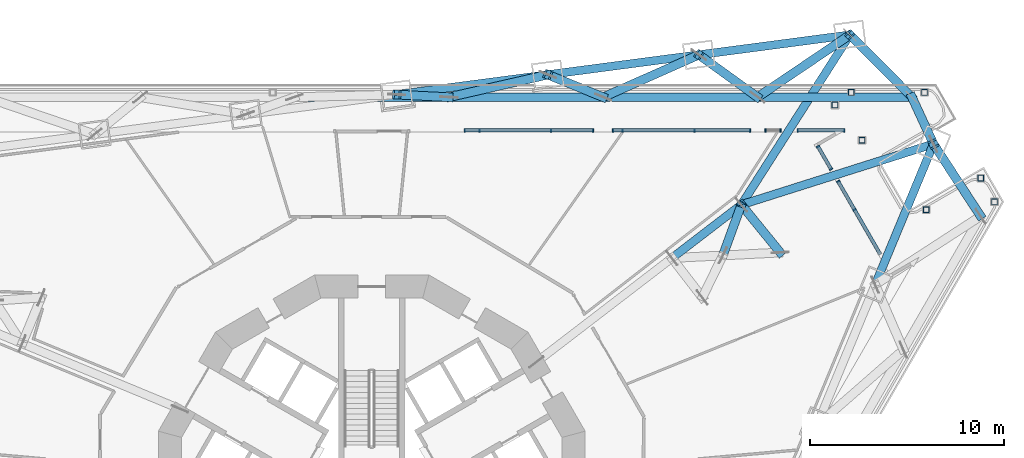
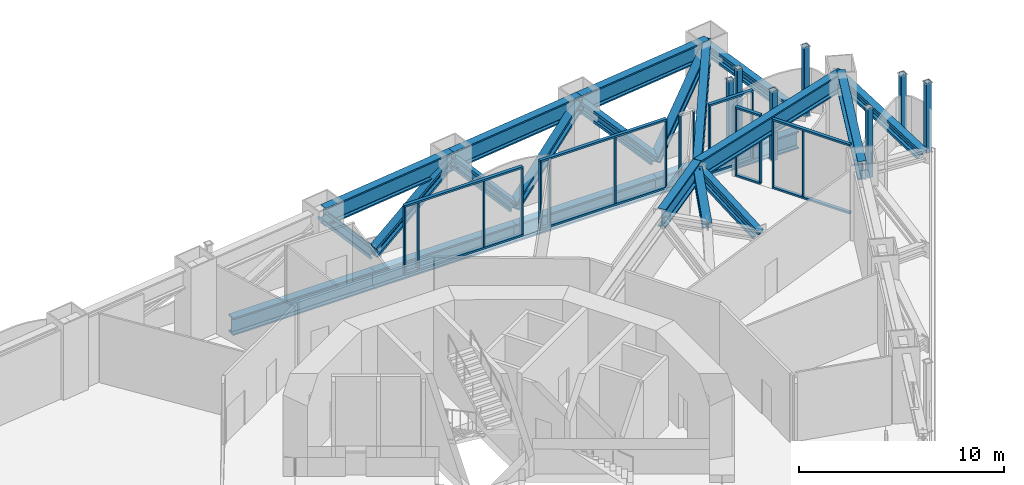
# One storey, part 6 of 28: 52 members, 3 beams, 6 elements without a shape of their own.
"""IFC4 building model written with IfcOpenShell, lengths in metres."""

from ifc_helpers import new_model, si_unit, direction, frame, origin, origin_2d, place, context, subcontext, project, spatial, rectangle, hollow_rectangle, i_section, extrude, material, layer, layer_set, material_profile, profile_set, type_object, element, aggregate, save


model = new_model("IFC4")

# Units and contexts
model_context = context("Model", 3, precision=1e-05, world=origin(), true_north=direction((0.0, 1.0)))
body_context = subcontext(model_context, "Body", "Model", "MODEL_VIEW")
ifc_project = project(units=[si_unit("LENGTHUNIT", "METRE"), si_unit("AREAUNIT", "SQUARE_METRE"), si_unit("VOLUMEUNIT", "CUBIC_METRE"), si_unit("PLANEANGLEUNIT", "RADIAN"), si_unit("MASSUNIT", "GRAM", prefix="KILO")], contexts=[model_context])

# Site, building, storey
site_placement = place(None, origin())
site = spatial("IfcSite", under=ifc_project, at=site_placement, CompositionType="ELEMENT")
building_placement = place(site_placement, origin())
building = spatial("IfcBuilding", under=site, at=building_placement, Name="Trine Commons Tower", CompositionType="ELEMENT")
storey_placement = place(building_placement, frame((0.0, 0.0, 45.89990234375)))
storey = spatial("IfcBuildingStorey", under=building, at=storey_placement, Name="L10", CompositionType="ELEMENT", Elevation=45.89990234375)

# Curtain wall, members
ifc_material_1 = material(Name="Sky lounge glazing: anodised aluminium frame with low-emissivity double glazed unit, solar control", Category="aluminium")
ifc_layer = layer(ifc_material_1, 0.179931640625)
ifc_layer_set = layer_set([ifc_layer], Name="Sky lounge glazing: anodised aluminium frame with low-emissivity double glazed unit, solar control")
curtain_wall_type = type_object("IfcCurtainWallType", Name="Sky lounge glazing curtain wall CW5", PredefinedType="NOTDEFINED", material=ifc_layer_set)
curtain_wall_1_placement = place(storey_placement, origin())
curtain_wall_1 = element("IfcCurtainWall", 1, at=curtain_wall_1_placement, inside=storey, type_object=curtain_wall_type, Name="Sky lounge glazing L10 F1.1", PredefinedType="NOTDEFINED")
ifc_material_2 = material(Name="Anodised aluminium, bronze finish", Category="aluminium")
ifc_material_profile_1 = material_profile(ifc_material_2, rectangle(XDim=0.179931640625, YDim=0.074951171875, at=origin_2d()), Name="Mullion 75x180")
ifc_profile_set_1 = profile_set([ifc_material_profile_1], Name="Anodised aluminium, bronze finish")
member_type_1 = type_object("IfcMemberType", Name="Mullion 75x180, Anodised aluminium, bronze finish", PredefinedType="MULLION", material=ifc_profile_set_1)
member_1_placement = place(storey_placement, frame((84.79833984375, 80.974609375, 0.110107421875), z_axis=(0.0, 0.0, 1.0), x_axis=(0.0, 1.0, 0.0)))
member_1 = element("IfcMember", 2, at=member_1_placement, type_object=member_type_1, Name="CW5 mullion 1.1", PredefinedType="MULLION", context=body_context, shape_type="SweptSolid", body=[
    extrude(rectangle(XDim=0.179931640625, YDim=0.074951171875, at=origin_2d()), origin(), (0.0, 0.0, 1.0), 3.929931640625),
])
member_2_placement = place(storey_placement, frame((85.548095703125, 80.974609375, 0.110107421875), z_axis=(0.0, 0.0, 1.0), x_axis=(0.0, 1.0, 0.0)))
member_2 = element("IfcMember", 3, at=member_2_placement, type_object=member_type_1, Name="CW5 mullion 2.1", PredefinedType="MULLION", context=body_context, shape_type="SweptSolid", body=[
    extrude(rectangle(XDim=0.179931640625, YDim=0.074951171875, at=origin_2d()), origin(), (0.0, 0.0, 1.0), 3.929931640625),
])
member_3_placement = place(storey_placement, frame((89.2470703125, 80.974609375, 0.110107421875), z_axis=(0.0, 0.0, 1.0), x_axis=(0.0, 1.0, 0.0)))
member_3 = element("IfcMember", 4, at=member_3_placement, type_object=member_type_1, Name="CW5 mullion 3.1", PredefinedType="MULLION", context=body_context, shape_type="SweptSolid", body=[
    extrude(rectangle(XDim=0.179931640625, YDim=0.074951171875, at=origin_2d()), origin(), (0.0, 0.0, 1.0), 3.929931640625),
])
member_4_placement = place(storey_placement, frame((91.41015625, 80.974609375, 0.110107421875), z_axis=(0.0, 0.0, 1.0), x_axis=(0.0, 1.0, 0.0)))
member_4 = element("IfcMember", 5, at=member_4_placement, type_object=member_type_1, Name="CW5 mullion 4.1", PredefinedType="MULLION", context=body_context, shape_type="SweptSolid", body=[
    extrude(rectangle(XDim=0.179931640625, YDim=0.074951171875, at=origin_2d()), origin(), (0.0, 0.0, 1.0), 3.929931640625),
])

curtain_wall_2_placement = place(storey_placement, origin())
curtain_wall_2 = element("IfcCurtainWall", 6, at=curtain_wall_2_placement, inside=storey, type_object=curtain_wall_type, Name="Sky lounge glazing L10 F1.2", PredefinedType="NOTDEFINED")
member_5_placement = place(storey_placement, frame((92.451171875, 80.974609375, 0.110107421875), z_axis=(0.0, 0.0, 1.0), x_axis=(0.0, 1.0, 0.0)))
member_5 = element("IfcMember", 7, at=member_5_placement, type_object=member_type_1, Name="CW5 mullion 1.1", PredefinedType="MULLION", context=body_context, shape_type="SweptSolid", body=[
    extrude(rectangle(XDim=0.179931640625, YDim=0.074951171875, at=origin_2d()), origin(), (0.0, 0.0, 1.0), 3.929931640625),
])
member_6_placement = place(storey_placement, frame((92.94580078125, 80.974609375, 0.110107421875), z_axis=(0.0, 0.0, 1.0), x_axis=(0.0, 1.0, 0.0)))
member_6 = element("IfcMember", 8, at=member_6_placement, type_object=member_type_1, Name="CW5 mullion 2.1", PredefinedType="MULLION", context=body_context, shape_type="SweptSolid", body=[
    extrude(rectangle(XDim=0.179931640625, YDim=0.074951171875, at=origin_2d()), origin(), (0.0, 0.0, 1.0), 3.929931640625),
])
member_7_placement = place(storey_placement, frame((96.644775390625, 80.974609375, 0.110107421875), z_axis=(0.0, 0.0, 1.0), x_axis=(0.0, 1.0, 0.0)))
member_7 = element("IfcMember", 9, at=member_7_placement, type_object=member_type_1, Name="CW5 mullion 3.1", PredefinedType="MULLION", context=body_context, shape_type="SweptSolid", body=[
    extrude(rectangle(XDim=0.179931640625, YDim=0.074951171875, at=origin_2d()), origin(), (0.0, 0.0, 1.0), 3.929931640625),
])
member_8_placement = place(storey_placement, frame((99.510009765625, 80.974609375, 0.110107421875), z_axis=(0.0, 0.0, 1.0), x_axis=(0.0, 1.0, 0.0)))
member_8 = element("IfcMember", 10, at=member_8_placement, type_object=member_type_1, Name="CW5 mullion 4.1", PredefinedType="MULLION", context=body_context, shape_type="SweptSolid", body=[
    extrude(rectangle(XDim=0.179931640625, YDim=0.074951171875, at=origin_2d()), origin(), (0.0, 0.0, 1.0), 3.929931640625),
])

curtain_wall_3_placement = place(storey_placement, origin())
curtain_wall_3 = element("IfcCurtainWall", 11, at=curtain_wall_3_placement, inside=storey, type_object=curtain_wall_type, Name="Sky lounge glazing L10 F1.3", PredefinedType="NOTDEFINED")
member_9_placement = place(storey_placement, frame((100.317138671875, 80.974609375, 0.110107421875), z_axis=(0.0, 0.0, 1.0), x_axis=(0.0, 1.0, 0.0)))
member_9 = element("IfcMember", 12, at=member_9_placement, type_object=member_type_1, Name="CW5 mullion 1.1", PredefinedType="MULLION", context=body_context, shape_type="SweptSolid", body=[
    extrude(rectangle(XDim=0.179931640625, YDim=0.074951171875, at=origin_2d()), origin(), (0.0, 0.0, 1.0), 3.929931640625),
])
member_10_placement = place(storey_placement, frame((101.08154296875, 80.974609375, 0.110107421875), z_axis=(0.0, 0.0, 1.0), x_axis=(0.0, 1.0, 0.0)))
member_10 = element("IfcMember", 13, at=member_10_placement, type_object=member_type_1, Name="CW5 mullion 2.1", PredefinedType="MULLION", context=body_context, shape_type="SweptSolid", body=[
    extrude(rectangle(XDim=0.179931640625, YDim=0.074951171875, at=origin_2d()), origin(), (0.0, 0.0, 1.0), 3.929931640625),
])
aggregate(curtain_wall_3, [member_9, member_10])

curtain_wall_4_placement = place(storey_placement, origin())
curtain_wall_4 = element("IfcCurtainWall", 14, at=curtain_wall_4_placement, inside=storey, type_object=curtain_wall_type, Name="Sky lounge glazing L10 F1.4", PredefinedType="NOTDEFINED")
member_11_placement = place(storey_placement, frame((101.98046875, 80.974609375, 0.110107421875), z_axis=(0.0, 0.0, 1.0), x_axis=(0.0, 1.0, 0.0)))
member_11 = element("IfcMember", 15, at=member_11_placement, type_object=member_type_1, Name="CW5 mullion 1.1", PredefinedType="MULLION", context=body_context, shape_type="SweptSolid", body=[
    extrude(rectangle(XDim=0.179931640625, YDim=0.074951171875, at=origin_2d()), origin(), (0.0, 0.0, 1.0), 3.929931640625),
])
member_12_placement = place(storey_placement, frame((104.37890625, 80.974609375, 0.110107421875), z_axis=(0.0, 0.0, 1.0), x_axis=(0.0, 1.0, 0.0)))
member_12 = element("IfcMember", 16, at=member_12_placement, type_object=member_type_1, Name="CW5 mullion 2.1", PredefinedType="MULLION", context=body_context, shape_type="SweptSolid", body=[
    extrude(rectangle(XDim=0.179931640625, YDim=0.074951171875, at=origin_2d()), origin(), (0.0, 0.0, 1.0), 3.929931640625),
])

curtain_wall_5_placement = place(storey_placement, origin())
curtain_wall_5 = element("IfcCurtainWall", 17, at=curtain_wall_5_placement, inside=storey, type_object=curtain_wall_type, Name="Sky lounge glazing L10 P2.1", PredefinedType="NOTDEFINED")
member_13_placement = place(storey_placement, frame((103.02490234375, 80.137939453125, 0.110107421875), z_axis=(0.0, 0.0, 1.0), x_axis=(0.866025403784, 0.5, 0.0)))
member_13 = element("IfcMember", 18, at=member_13_placement, type_object=member_type_1, Name="CW5 mullion 1.1", PredefinedType="MULLION", context=body_context, shape_type="SweptSolid", body=[
    extrude(rectangle(XDim=0.179931640625, YDim=0.074951171875, at=origin_2d()), origin(), (0.0, 0.0, 1.0), 3.929931640625),
])
member_14_placement = place(storey_placement, frame((103.697509765625, 78.973388671875, 0.110107421875), z_axis=(0.0, 0.0, 1.0), x_axis=(0.866025403784, 0.5, 0.0)))
member_14 = element("IfcMember", 19, at=member_14_placement, type_object=member_type_1, Name="CW5 mullion 2.1", PredefinedType="MULLION", context=body_context, shape_type="SweptSolid", body=[
    extrude(rectangle(XDim=0.179931640625, YDim=0.074951171875, at=origin_2d()), origin(), (0.0, 0.0, 1.0), 3.929931640625),
])

curtain_wall_6_placement = place(storey_placement, origin())
curtain_wall_6 = element("IfcCurtainWall", 20, at=curtain_wall_6_placement, inside=storey, type_object=curtain_wall_type, Name="Sky lounge glazing L10 P2.2", PredefinedType="NOTDEFINED")
member_15_placement = place(storey_placement, frame((104.0654296875, 78.3359375, 0.110107421875), z_axis=(0.0, 0.0, 1.0), x_axis=(0.866025403784, 0.5, 0.0)))
member_15 = element("IfcMember", 21, at=member_15_placement, type_object=member_type_1, Name="CW5 mullion 1.1", PredefinedType="MULLION", context=body_context, shape_type="SweptSolid", body=[
    extrude(rectangle(XDim=0.179931640625, YDim=0.074951171875, at=origin_2d()), origin(), (0.0, 0.0, 1.0), 3.929931640625),
])
member_16_placement = place(storey_placement, frame((104.90625, 76.879638671875, 0.110107421875), z_axis=(0.0, 0.0, 1.0), x_axis=(0.866025403784, 0.5, 0.0)))
member_16 = element("IfcMember", 22, at=member_16_placement, type_object=member_type_1, Name="CW5 mullion 2.1", PredefinedType="MULLION", context=body_context, shape_type="SweptSolid", body=[
    extrude(rectangle(XDim=0.179931640625, YDim=0.074951171875, at=origin_2d()), origin(), (0.0, 0.0, 1.0), 3.929931640625),
])

# Beams
ifc_material_3 = material(Name="Structural steel ASTM A992 Gr50", Category="steel")
ifc_material_profile_2 = material_profile(ifc_material_3, i_section(OverallWidth=0.42529296875, OverallDepth=1.09228515625, WebThickness=0.04541015625, FlangeThickness=0.08203125, FilletRadius=0.030029296875, at=origin_2d()), Name="W40X593")
ifc_profile_set_2 = profile_set([ifc_material_profile_2], Name="Structural steel ASTM A992 Gr50")
beam_type = type_object("IfcBeamType", Name="Steel beam W40X593, ASTM A992 Gr50", PredefinedType="BEAM", material=ifc_profile_set_2)
for number, where, z_axis, x_axis, name in (
    (23, (104.6689453125, 85.89697265625, 3.60400390625), (-0.538334626137, -0.842731173211, 0.0), (0.842731173211, -0.538334626137, 0.0), "Transfer truss girder T1-UV-03"),
    (24, (108.984375, 80.272705078125, 3.60400390625), (-0.953350671602, -0.301865031025, 0.0), (0.301865031025, -0.953350671602, 0.0), "Transfer truss girder T1-UV-04"),
):
    element("IfcBeam", number, at=place(storey_placement, frame(where, z_axis=z_axis, x_axis=x_axis)), inside=storey, type_object=beam_type, Name=name, PredefinedType="BEAM", context=body_context, shape_type="SweptSolid", body=[
        extrude(i_section(OverallWidth=0.42529296875, OverallDepth=1.09228515625, WebThickness=0.04541015625, FlangeThickness=0.08203125, FilletRadius=0.030029296875, at=origin_2d()), origin(), (0.0, 0.0, 1.0), 10.3984375),
    ])
beam_placement = place(storey_placement, frame((95.48828125, 74.384521484375, 3.60400390625), z_axis=(0.793340900305, 0.608777640772, 0.0), x_axis=(-0.608777640772, 0.793340900305, 0.0)))
element("IfcBeam", 25, at=beam_placement, inside=storey, type_object=beam_type, Name="Transfer truss girder T1-UR-04", PredefinedType="BEAM", context=body_context, shape_type="SweptSolid", body=[
    extrude(i_section(OverallWidth=0.42529296875, OverallDepth=1.09228515625, WebThickness=0.04541015625, FlangeThickness=0.08203125, FilletRadius=0.030029296875, at=origin_2d()), origin(), (0.0, 0.0, 1.0), 4.51611328125),
])

# Members
ifc_material_profile_3 = material_profile(ifc_material_3, i_section(OverallWidth=0.4541015625, OverallDepth=0.568359375, WebThickness=0.077880859375, FlangeThickness=0.124755859375, FilletRadius=0.015380859375, at=origin_2d()), Name="W14X730")
ifc_profile_set_3 = profile_set([ifc_material_profile_3], Name="Structural steel ASTM A992 Gr50")
member_type_2 = type_object("IfcMemberType", Name="Steel brace W14X730, ASTM A992 Gr50", PredefinedType="BRACE", material=ifc_profile_set_3)
member_17_placement = place(storey_placement, frame((83.981689453125, 82.6845703125, 0.520751953125), z_axis=(-0.657428671653, 0.0327850004, 0.75280321827), x_axis=(-0.049806635564, -0.998758879337, 0.0)))
element("IfcMember", 26, at=member_17_placement, inside=storey, type_object=member_type_2, Name="Transfer truss brace T1-DG-25", PredefinedType="BRACE", context=body_context, shape_type="SweptSolid", body=[
    extrude(i_section(OverallWidth=0.4541015625, OverallDepth=0.568359375, WebThickness=0.077880859375, FlangeThickness=0.124755859375, FilletRadius=0.015380859375, at=origin_2d()), origin(), (0.0, 0.0, 1.0), 4.095703125),
])
member_18_placement = place(storey_placement, frame((91.945068359375, 82.6845703125, 0.520751953125), z_axis=(-0.655900281538, 0.265884352934, 0.706470333095), x_axis=(-0.375679422917, -0.92674968098, 0.0)))
element("IfcMember", 27, at=member_18_placement, inside=storey, type_object=member_type_2, Name="Transfer truss brace T1-DG-27", PredefinedType="BRACE", context=body_context, shape_type="SweptSolid", body=[
    extrude(i_section(OverallWidth=0.4541015625, OverallDepth=0.568359375, WebThickness=0.077880859375, FlangeThickness=0.124755859375, FilletRadius=0.015380859375, at=origin_2d()), origin(), (0.0, 0.0, 1.0), 4.3642578125),
])
member_19_placement = place(storey_placement, frame((83.981689453125, 82.6845703125, 0.520751953125), z_axis=(0.840031963986, 0.191100939301, 0.507766413305), x_axis=(-0.221824835151, 0.975086530781, 0.0)))
element("IfcMember", 28, at=member_19_placement, inside=storey, type_object=member_type_2, Name="Transfer truss brace T1-DG-28", PredefinedType="BRACE", context=body_context, shape_type="SweptSolid", body=[
    extrude(i_section(OverallWidth=0.4541015625, OverallDepth=0.568359375, WebThickness=0.077880859375, FlangeThickness=0.124755859375, FilletRadius=0.015380859375, at=origin_2d()), origin(), (0.0, 0.0, 1.0), 6.072265625),
])
member_20_placement = place(storey_placement, frame((99.908447265625, 82.6845703125, 0.520751953125), z_axis=(-0.625819459565, 0.451152250878, 0.636248104561), x_axis=(-0.584784587282, -0.811188625708, 0.0)))
element("IfcMember", 29, at=member_20_placement, inside=storey, type_object=member_type_2, Name="Transfer truss brace T1-DG-29", PredefinedType="BRACE", context=body_context, shape_type="SweptSolid", body=[
    extrude(i_section(OverallWidth=0.4541015625, OverallDepth=0.568359375, WebThickness=0.077880859375, FlangeThickness=0.124755859375, FilletRadius=0.015380859375, at=origin_2d()), origin(), (0.0, 0.0, 1.0), 4.845947265625),
])
member_21_placement = place(storey_placement, frame((91.945068359375, 82.6845703125, 0.520751953125), z_axis=(0.79364202521, 0.351904552176, 0.496281696196), x_axis=(-0.405344548966, 0.914163987818, 0.0)))
element("IfcMember", 30, at=member_21_placement, inside=storey, type_object=member_type_2, Name="Transfer truss brace T1-DG-30", PredefinedType="BRACE", context=body_context, shape_type="SweptSolid", body=[
    extrude(i_section(OverallWidth=0.4541015625, OverallDepth=0.568359375, WebThickness=0.077880859375, FlangeThickness=0.124755859375, FilletRadius=0.015380859375, at=origin_2d()), origin(), (0.0, 0.0, 1.0), 6.212646484375),
])
member_22_placement = place(storey_placement, frame((107.871826171875, 82.6845703125, 0.520751953125), z_axis=(-0.583942362491, 0.585678299082, 0.562131877118), x_axis=(-0.708155480402, -0.70605652435, 0.0)))
element("IfcMember", 31, at=member_22_placement, inside=storey, type_object=member_type_2, Name="Transfer truss brace T1-DG-31", PredefinedType="BRACE", context=body_context, shape_type="SweptSolid", body=[
    extrude(i_section(OverallWidth=0.4541015625, OverallDepth=0.568359375, WebThickness=0.077880859375, FlangeThickness=0.124755859375, FilletRadius=0.015380859375, at=origin_2d()), origin(), (0.0, 0.0, 1.0), 5.48486328125),
])
member_23_placement = place(storey_placement, frame((99.908447265625, 82.6845703125, 0.520751953125), z_axis=(0.730327488246, 0.492827790673, 0.473014300685), x_axis=(-0.559361141902, 0.82892406946, 0.0)))
element("IfcMember", 32, at=member_23_placement, inside=storey, type_object=member_type_2, Name="Transfer truss brace T1-DG-32", PredefinedType="BRACE", context=body_context, shape_type="SweptSolid", body=[
    extrude(i_section(OverallWidth=0.4541015625, OverallDepth=0.568359375, WebThickness=0.077880859375, FlangeThickness=0.124755859375, FilletRadius=0.015380859375, at=origin_2d()), origin(), (0.0, 0.0, 1.0), 6.518310546875),
])
member_24_placement = place(storey_placement, frame((107.871826171875, 82.6845703125, 0.520751953125), z_axis=(0.273383217177, -0.592660259489, 0.757638062262), x_axis=(0.908048142506, 0.4188658149, 0.0)))
element("IfcMember", 33, at=member_24_placement, inside=storey, type_object=member_type_2, Name="Transfer truss brace T1-DG-33", PredefinedType="BRACE", context=body_context, shape_type="SweptSolid", body=[
    extrude(i_section(OverallWidth=0.4541015625, OverallDepth=0.568359375, WebThickness=0.077880859375, FlangeThickness=0.124755859375, FilletRadius=0.015380859375, at=origin_2d()), origin(), (0.0, 0.0, 1.0), 4.069580078125),
])
member_25_placement = place(storey_placement, frame((111.416259765625, 76.54541015625, 0.520751953125), z_axis=(-0.449170399119, 0.688433338354, 0.56947826227), x_axis=(-0.83750363123, -0.546431759395, 0.0)))
element("IfcMember", 34, at=member_25_placement, inside=storey, type_object=member_type_2, Name="Transfer truss brace T1-DG-34", PredefinedType="BRACE", context=body_context, shape_type="SweptSolid", body=[
    extrude(i_section(OverallWidth=0.4541015625, OverallDepth=0.568359375, WebThickness=0.077880859375, FlangeThickness=0.124755859375, FilletRadius=0.015380859375, at=origin_2d()), origin(), (0.0, 0.0, 1.0), 5.4140625),
])
member_26_placement = place(storey_placement, frame((101.0771484375, 74.6689453125, 0.520751953125), z_axis=(-0.453059225863, 0.556661305137, 0.696322862775), x_axis=(-0.775587368593, -0.631240234522, 0.0)))
element("IfcMember", 35, at=member_26_placement, inside=storey, type_object=member_type_2, Name="Transfer truss brace T1-DG-55", PredefinedType="BRACE", context=body_context, shape_type="SweptSolid", body=[
    extrude(i_section(OverallWidth=0.4541015625, OverallDepth=0.568359375, WebThickness=0.077880859375, FlangeThickness=0.124755859375, FilletRadius=0.015380859375, at=origin_2d()), origin(), (0.0, 0.0, 1.0), 4.427978515625),
])
member_27_placement = place(storey_placement, frame((98.1162109375, 74.518310546875, 2.154296875), z_axis=(0.30417231822, 0.833187943005, 0.4618192855), x_axis=(-0.939360009967, 0.342932605151, 0.0)))
element("IfcMember", 36, at=member_27_placement, inside=storey, type_object=member_type_2, Name="Transfer truss brace T1-DG-56b", PredefinedType="BRACE", context=body_context, shape_type="SweptSolid", body=[
    extrude(i_section(OverallWidth=0.4541015625, OverallDepth=0.568359375, WebThickness=0.077880859375, FlangeThickness=0.124755859375, FilletRadius=0.015380859375, at=origin_2d()), origin(), (0.0, 0.0, 1.0), 3.13916015625),
])
ifc_material_profile_4 = material_profile(ifc_material_3, i_section(OverallWidth=0.44775390625, OverallDepth=1.04150390625, WebThickness=0.050048828125, FlangeThickness=0.08984375, FilletRadius=0.024169921875, at=origin_2d()), Name="W36X652")
ifc_profile_set_4 = profile_set([ifc_material_profile_4], Name="Structural steel ASTM A992 Gr50")
member_type_3 = type_object("IfcMemberType", Name="Steel chord W36X652, ASTM A992 Gr50", PredefinedType="CHORD", material=ifc_profile_set_4)
for number, where, z_axis, x_axis, name in (
    (37, (76.018310546875, 82.6845703125, -0.970703125), (1.0, 0.0, 0.0), (0.0, 1.0, 0.0), "Transfer truss chord T1-LC-11"),
    (38, (83.981689453125, 82.6845703125, -0.970703125), (1.0, 0.0, 0.0), (0.0, 1.0, 0.0), "Transfer truss chord T1-LC-12"),
    (39, (91.945068359375, 82.6845703125, -0.970703125), (1.0, 0.0, 0.0), (0.0, 1.0, 0.0), "Transfer truss chord T1-LC-13"),
    (40, (99.908447265625, 82.6845703125, -0.970703125), (1.0, 0.0, 0.0), (0.0, 1.0, 0.0), "Transfer truss chord T1-LC-14"),
):
    element("IfcMember", number, at=place(storey_placement, frame(where, z_axis=z_axis, x_axis=x_axis)), inside=storey, type_object=member_type_3, Name=name, PredefinedType="CHORD", context=body_context, shape_type="SweptSolid", body=[
        extrude(i_section(OverallWidth=0.44775390625, OverallDepth=1.04150390625, WebThickness=0.050048828125, FlangeThickness=0.08984375, FilletRadius=0.024169921875, at=origin_2d()), origin(), (0.0, 0.0, 1.0), 7.96337890625),
    ])
ifc_material_profile_5 = material_profile(ifc_material_3, i_section(OverallWidth=0.42529296875, OverallDepth=1.09228515625, WebThickness=0.04541015625, FlangeThickness=0.08203125, FilletRadius=0.030029296875, at=origin_2d()), Name="W40X593")
ifc_profile_set_5 = profile_set([ifc_material_profile_5], Name="Structural steel ASTM A992 Gr50")
member_type_4 = type_object("IfcMemberType", Name="Steel chord W40X593, ASTM A992 Gr50", PredefinedType="CHORD", material=ifc_profile_set_5)
member_28_placement = place(storey_placement, frame((81.2890625, 82.81884765625, 3.60400390625), z_axis=(0.991443297931, 0.130538067201, 0.0), x_axis=(-0.130538067201, 0.991443297931, 0.0)))
element("IfcMember", 41, at=member_28_placement, inside=storey, type_object=member_type_4, Name="Transfer truss chord T1-UC-12", PredefinedType="CHORD", context=body_context, shape_type="SweptSolid", body=[
    extrude(i_section(OverallWidth=0.42529296875, OverallDepth=1.09228515625, WebThickness=0.04541015625, FlangeThickness=0.08203125, FilletRadius=0.030029296875, at=origin_2d()), origin(), (0.0, 0.0, 1.0), 7.86083984375),
])
member_29_placement = place(storey_placement, frame((89.08251953125, 83.844970703125, 3.60400390625), z_axis=(0.991446788058, 0.130511556763, 0.0), x_axis=(-0.130511556763, 0.991446788058, 0.0)))
element("IfcMember", 42, at=member_29_placement, inside=storey, type_object=member_type_4, Name="Transfer truss chord T1-UC-13", PredefinedType="CHORD", context=body_context, shape_type="SweptSolid", body=[
    extrude(i_section(OverallWidth=0.42529296875, OverallDepth=1.09228515625, WebThickness=0.04541015625, FlangeThickness=0.08203125, FilletRadius=0.030029296875, at=origin_2d()), origin(), (0.0, 0.0, 1.0), 7.8603515625),
])
for number, where, z_axis, x_axis, name in (
    (43, (96.875732421875, 84.870849609375, 3.60400390625), (0.991442768667, 0.130542086924, 0.0), (-0.130542086924, 0.991442768667, 0.0), "Transfer truss chord T1-UC-14"),
    (44, (108.984375, 80.272705078125, 3.60400390625), (-0.382678219689, -0.923881691655, 0.0), (0.923881691655, -0.382678219689, 0.0), "Transfer truss chord T1-UC-15"),
):
    element("IfcMember", number, at=place(storey_placement, frame(where, z_axis=z_axis, x_axis=x_axis)), inside=storey, type_object=member_type_4, Name=name, PredefinedType="CHORD", context=body_context, shape_type="SweptSolid", body=[
        extrude(i_section(OverallWidth=0.42529296875, OverallDepth=1.09228515625, WebThickness=0.04541015625, FlangeThickness=0.08203125, FilletRadius=0.030029296875, at=origin_2d()), origin(), (0.0, 0.0, 1.0), 7.860595703125),
    ])
ifc_material_4 = material(Name="Structural steel ASTM A500 Gr C", Category="steel")
ifc_material_profile_6 = material_profile(ifc_material_4, hollow_rectangle(XDim=0.3046875, YDim=0.3046875, WallThickness=0.014892578125, InnerFilletRadius=0.00732421875, OuterFilletRadius=0.022216796875, at=origin_2d()), Name="HSS12X12X5/8")
ifc_profile_set_6 = profile_set([ifc_material_profile_6], Name="Structural steel ASTM A500 Gr C")
member_type_5 = type_object("IfcMemberType", Name="Steel post HSS12X12X5/8, ASTM A500 Gr C", PredefinedType="POST", material=ifc_profile_set_6)
for number, where, z_axis, x_axis, name in (
    (45, (108.52001953125, 82.9345703125, 0.0), (0.0, 0.0, 1.0), (1.0, 0.0, 0.0), "Roof post SP1-51"),
    (46, (105.296875, 80.46142578125, 0.0), (0.0, 0.0, 1.0), (1.0, 0.0, 0.0), "Roof post SP1-52"),
    (47, (103.896728515625, 82.2861328125, 0.0), (0.0, 0.0, 1.0), (1.0, 0.0, 0.0), "Roof post SP1-53"),
    (48, (104.74169921875, 82.9345703125, 0.0), (0.0, 0.0, 1.0), (1.0, 0.0, 0.0), "Roof post SP1-54"),
    (49, (111.42578125, 78.507568359375, 0.0), (0.0, 0.0, 1.0), (1.0, 0.0, 0.0), "Roof post SP1-61"),
    (50, (112.1318359375, 77.28466796875, 0.0), (0.0, 0.0, 1.0), (1.0, 0.0, 0.0), "Roof post SP1-62"),
    (51, (108.607421875, 76.88037109375, 0.0), (0.0, 0.0, 1.0), (1.0, 0.0, 0.0), "Roof post SP1-64"),
):
    element("IfcMember", number, at=place(storey_placement, frame(where, z_axis=z_axis, x_axis=x_axis)), inside=storey, type_object=member_type_5, Name=name, PredefinedType="POST", context=body_context, shape_type="SweptSolid", body=[
        extrude(hollow_rectangle(XDim=0.3046875, YDim=0.3046875, WallThickness=0.014892578125, InnerFilletRadius=0.00732421875, OuterFilletRadius=0.022216796875, at=origin_2d()), origin(), (0.0, 0.0, 1.0), 4.150146484375),
    ])

# Member
ifc_material_profile_7 = material_profile(ifc_material_2, rectangle(XDim=0.179931640625, YDim=0.110107421875, at=origin_2d()), Name="Transom 110x180")
ifc_profile_set_7 = profile_set([ifc_material_profile_7], Name="Anodised aluminium, bronze finish")
member_type_6 = type_object("IfcMemberType", Name="Transom 110x180, Anodised aluminium, bronze finish", PredefinedType="USERDEFINED", material=ifc_profile_set_7)
member_30_placement = place(storey_placement, frame((84.7607421875, 80.974609375, 0.05517578125), z_axis=(1.0, 0.0, 0.0), x_axis=(0.0, 1.0, 0.0)))
member_30 = element("IfcMember", 52, at=member_30_placement, type_object=member_type_6, Name="CW5 transom T00", ObjectType="TRANSOM", PredefinedType="USERDEFINED", context=body_context, shape_type="SweptSolid", body=[
    extrude(rectangle(XDim=0.179931640625, YDim=0.110107421875, at=origin_2d()), origin(), (0.0, 0.0, 1.0), 6.686767578125),
])

member_31_placement = place(storey_placement, frame((84.7607421875, 80.974609375, 4.09521484375), z_axis=(1.0, 0.0, 0.0), x_axis=(0.0, 1.0, 0.0)))
member_31 = element("IfcMember", 53, at=member_31_placement, type_object=member_type_6, Name="CW5 transom TH00", ObjectType="TRANSOM", PredefinedType="USERDEFINED", context=body_context, shape_type="SweptSolid", body=[
    extrude(rectangle(XDim=0.179931640625, YDim=0.110107421875, at=origin_2d()), origin(), (0.0, 0.0, 1.0), 6.686767578125),
])

aggregate(curtain_wall_1, [member_30, member_31, member_1, member_2, member_3, member_4])

member_32_placement = place(storey_placement, frame((92.41357421875, 80.974609375, 0.05517578125), z_axis=(1.0, 0.0, 0.0), x_axis=(0.0, 1.0, 0.0)))
member_32 = element("IfcMember", 54, at=member_32_placement, type_object=member_type_6, Name="CW5 transom T00", ObjectType="TRANSOM", PredefinedType="USERDEFINED", context=body_context, shape_type="SweptSolid", body=[
    extrude(rectangle(XDim=0.179931640625, YDim=0.110107421875, at=origin_2d()), origin(), (0.0, 0.0, 1.0), 7.134033203125),
])

member_33_placement = place(storey_placement, frame((92.41357421875, 80.974609375, 4.09521484375), z_axis=(1.0, 0.0, 0.0), x_axis=(0.0, 1.0, 0.0)))
member_33 = element("IfcMember", 55, at=member_33_placement, type_object=member_type_6, Name="CW5 transom TH00", ObjectType="TRANSOM", PredefinedType="USERDEFINED", context=body_context, shape_type="SweptSolid", body=[
    extrude(rectangle(XDim=0.179931640625, YDim=0.110107421875, at=origin_2d()), origin(), (0.0, 0.0, 1.0), 7.134033203125),
])

aggregate(curtain_wall_2, [member_32, member_33, member_5, member_6, member_7, member_8])

member_34_placement = place(storey_placement, frame((101.94287109375, 80.974609375, 0.05517578125), z_axis=(1.0, 0.0, 0.0), x_axis=(0.0, 1.0, 0.0)))
member_34 = element("IfcMember", 56, at=member_34_placement, type_object=member_type_6, Name="CW5 transom T00", ObjectType="TRANSOM", PredefinedType="USERDEFINED", context=body_context, shape_type="SweptSolid", body=[
    extrude(rectangle(XDim=0.179931640625, YDim=0.110107421875, at=origin_2d()), origin(), (0.0, 0.0, 1.0), 2.473388671875),
])

member_35_placement = place(storey_placement, frame((101.94287109375, 80.974609375, 4.09521484375), z_axis=(1.0, 0.0, 0.0), x_axis=(0.0, 1.0, 0.0)))
member_35 = element("IfcMember", 57, at=member_35_placement, type_object=member_type_6, Name="CW5 transom TH00", ObjectType="TRANSOM", PredefinedType="USERDEFINED", context=body_context, shape_type="SweptSolid", body=[
    extrude(rectangle(XDim=0.179931640625, YDim=0.110107421875, at=origin_2d()), origin(), (0.0, 0.0, 1.0), 2.473388671875),
])

aggregate(curtain_wall_4, [member_34, member_35, member_11, member_12])

member_36_placement = place(storey_placement, frame((103.006103515625, 80.17041015625, 0.05517578125), z_axis=(0.500059846627, -0.865990848561, 0.0), x_axis=(0.865990848561, 0.500059846627, 0.0)))
member_36 = element("IfcMember", 58, at=member_36_placement, type_object=member_type_6, Name="CW5 transom T00", ObjectType="TRANSOM", PredefinedType="USERDEFINED", context=body_context, shape_type="SweptSolid", body=[
    extrude(rectangle(XDim=0.179931640625, YDim=0.110107421875, at=origin_2d()), origin(), (0.0, 0.0, 1.0), 1.419677734375),
])

member_37_placement = place(storey_placement, frame((103.006103515625, 80.17041015625, 4.09521484375), z_axis=(0.500059846627, -0.865990848561, 0.0), x_axis=(0.865990848561, 0.500059846627, 0.0)))
member_37 = element("IfcMember", 59, at=member_37_placement, type_object=member_type_6, Name="CW5 transom TH00", ObjectType="TRANSOM", PredefinedType="USERDEFINED", context=body_context, shape_type="SweptSolid", body=[
    extrude(rectangle(XDim=0.179931640625, YDim=0.110107421875, at=origin_2d()), origin(), (0.0, 0.0, 1.0), 1.419677734375),
])

aggregate(curtain_wall_5, [member_36, member_37, member_13, member_14])

member_38_placement = place(storey_placement, frame((104.046630859375, 78.368408203125, 0.05517578125), z_axis=(0.500016694987, -0.866015764715, 0.0), x_axis=(0.866015764715, 0.500016694987, 0.0)))
member_38 = element("IfcMember", 60, at=member_38_placement, type_object=member_type_6, Name="CW5 transom T00", ObjectType="TRANSOM", PredefinedType="USERDEFINED", context=body_context, shape_type="SweptSolid", body=[
    extrude(rectangle(XDim=0.179931640625, YDim=0.110107421875, at=origin_2d()), origin(), (0.0, 0.0, 1.0), 4.381103515625),
])

member_39_placement = place(storey_placement, frame((104.046630859375, 78.368408203125, 4.09521484375), z_axis=(0.500016694987, -0.866015764715, 0.0), x_axis=(0.866015764715, 0.500016694987, 0.0)))
member_39 = element("IfcMember", 61, at=member_39_placement, type_object=member_type_6, Name="CW5 transom TH00", ObjectType="TRANSOM", PredefinedType="USERDEFINED", context=body_context, shape_type="SweptSolid", body=[
    extrude(rectangle(XDim=0.179931640625, YDim=0.110107421875, at=origin_2d()), origin(), (0.0, 0.0, 1.0), 4.381103515625),
])

aggregate(curtain_wall_6, [member_38, member_39, member_15, member_16])

save(model, "model.ifc")
